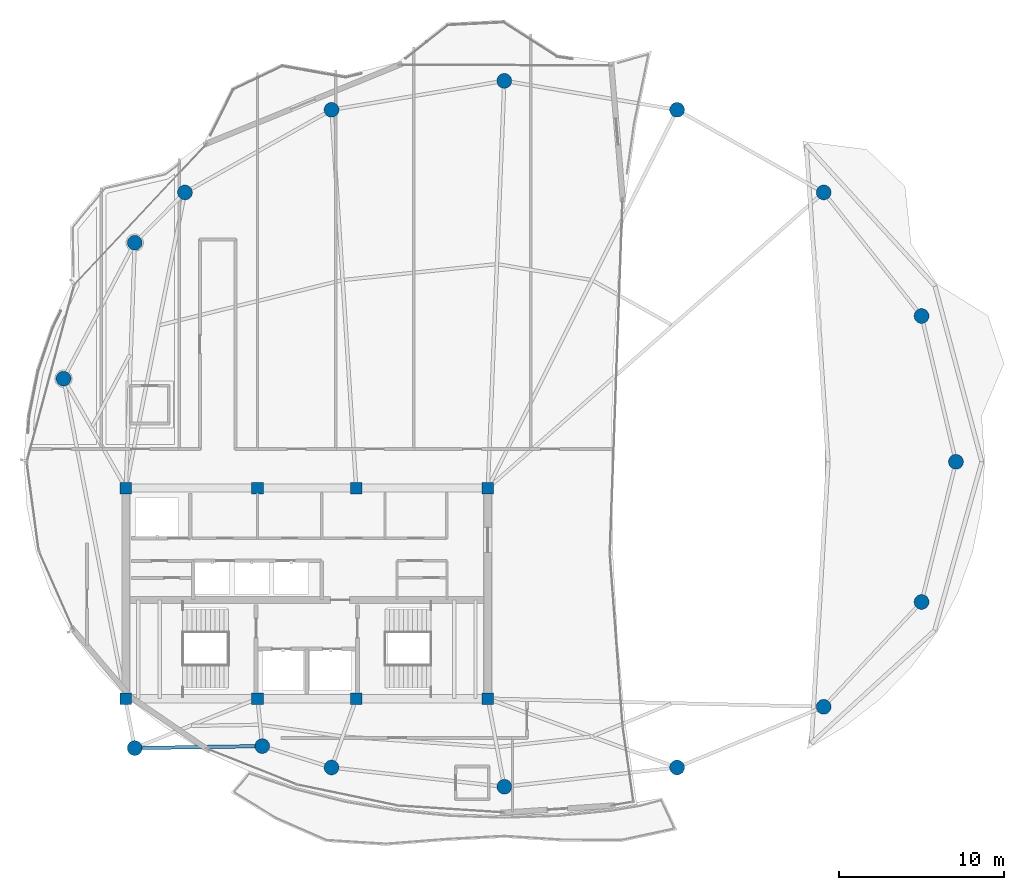
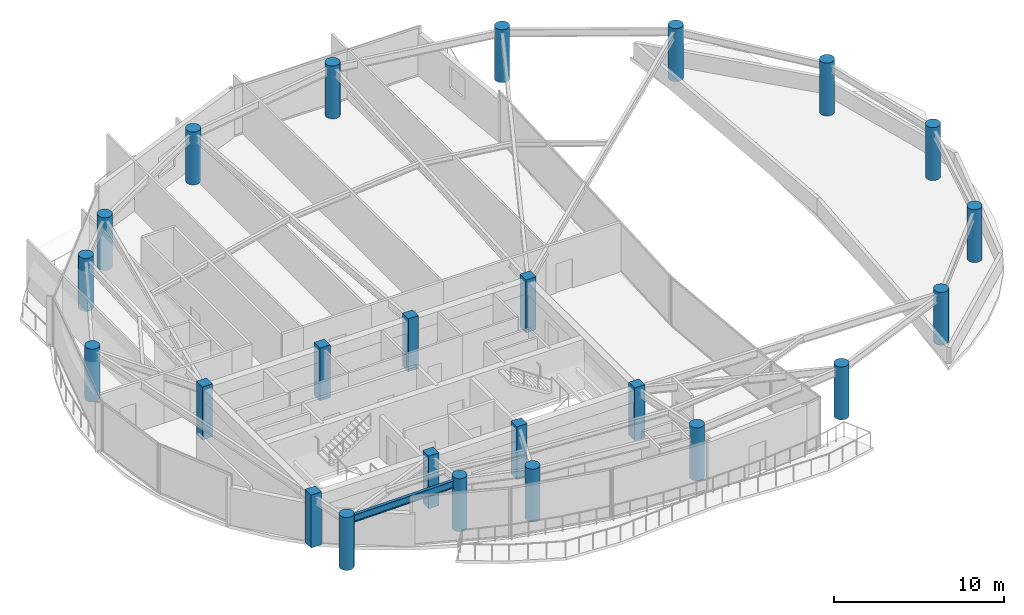
# One storey, part 1 of 23: 24 columns, 1 beam.
"""IFC4 building model written with IfcOpenShell, lengths in metres."""

from ifc_helpers import new_model, si_unit, direction, frame, origin, origin_2d, place, context, subcontext, project, spatial, rectangle, circle, i_section, extrude, material, material_profile, profile_set, type_object, element, save


model = new_model("IFC4")

# Units and contexts
model_context = context("Model", 3, precision=1e-05, world=origin(), true_north=direction((0.0, 1.0)))
body_context = subcontext(model_context, "Body", "Model", "MODEL_VIEW")
ifc_project = project(units=[si_unit("LENGTHUNIT", "METRE"), si_unit("AREAUNIT", "SQUARE_METRE"), si_unit("VOLUMEUNIT", "CUBIC_METRE"), si_unit("PLANEANGLEUNIT", "RADIAN"), si_unit("MASSUNIT", "GRAM", prefix="KILO")], contexts=[model_context])

# Site, building, storey
site_placement = place(None, origin())
site = spatial("IfcSite", under=ifc_project, at=site_placement, CompositionType="ELEMENT")
building_placement = place(site_placement, origin())
building = spatial("IfcBuilding", under=site, at=building_placement, Name="Kazevale Care Tower and Concert Hall", CompositionType="ELEMENT")
storey_placement = place(building_placement, frame((0.0, 0.0, 266.199951171875)))
storey = spatial("IfcBuildingStorey", under=building, at=storey_placement, Name="L70", CompositionType="ELEMENT", Elevation=266.199951171875)

# Columns
ifc_material_1 = material(Name="Concrete C50", Category="concrete")
ifc_material_profile_1 = material_profile(ifc_material_1, rectangle(XDim=0.699951171875, YDim=0.699951171875, at=origin_2d()), Name="RC-SQ700")
ifc_profile_set_1 = profile_set([ifc_material_profile_1], Name="Concrete C50")
column_type_1 = type_object("IfcColumnType", Name="Core Column SQ700 C50", PredefinedType="COLUMN", material=ifc_profile_set_1)
for number, where, z_axis, x_axis, name in (
    (1, (22.0, 23.60009765625, 0.0), (0.0, 0.0, 1.0), (1.0, 0.0, 0.0), "col:L70:CC-01"),
    (2, (30.0, 23.60009765625, 0.0), (0.0, 0.0, 1.0), (1.0, 0.0, 0.0), "col:L70:CC-02"),
    (3, (36.0, 23.60009765625, 0.0), (0.0, 0.0, 1.0), (1.0, 0.0, 0.0), "col:L70:CC-03"),
    (4, (44.0, 23.60009765625, 0.0), (0.0, 0.0, 1.0), (1.0, 0.0, 0.0), "col:L70:CC-04"),
    (5, (44.0, 36.39990234375, 0.0), (0.0, 0.0, 1.0), (1.0, 0.0, 0.0), "col:L70:CC-05"),
    (6, (36.0, 36.39990234375, 0.0), (0.0, 0.0, 1.0), (1.0, 0.0, 0.0), "col:L70:CC-06"),
    (7, (30.0, 36.39990234375, 0.0), (0.0, 0.0, 1.0), (1.0, 0.0, 0.0), "col:L70:CC-07"),
    (8, (22.0, 36.39990234375, 0.0), (0.0, 0.0, 1.0), (1.0, 0.0, 0.0), "col:L70:CC-08"),
):
    element("IfcColumn", number, at=place(storey_placement, frame(where, z_axis=z_axis, x_axis=x_axis)), inside=storey, type_object=column_type_1, Name=name, PredefinedType="COLUMN", context=body_context, shape_type="SweptSolid", body=[
        extrude(rectangle(XDim=0.699951171875, YDim=0.699951171875, at=origin_2d()), origin(), (0.0, 0.0, 1.0), 3.800048828125),
    ])
ifc_material_profile_2 = material_profile(ifc_material_1, circle(Radius=0.449951171875, at=origin_2d()), Name="RC-CIR900")
ifc_profile_set_2 = profile_set([ifc_material_profile_2], Name="Concrete C50")
column_type_2 = type_object("IfcColumnType", Name="Perimeter Column CIR900 C50", PredefinedType="COLUMN", material=ifc_profile_set_2)
for number, where, z_axis, x_axis, name in (
    (9, (72.449951171875, 38.0, 0.0), (0.0, 0.0, 1.0), (1.0, 0.0, 0.0), "col:L70:PC-01"),
    (10, (70.360107421875, 46.860107421875, 0.0), (0.0, 0.0, 1.0), (1.0, 0.0, 0.0), "col:L70:PC-02"),
    (11, (64.409912109375, 54.3701171875, 0.0), (0.0, 0.0, 1.0), (1.0, 0.0, 0.0), "col:L70:PC-03"),
    (12, (55.5, 59.389892578125, 0.0), (0.0, 0.0, 1.0), (1.0, 0.0, 0.0), "col:L70:PC-04"),
    (13, (45.0, 61.14990234375, 0.0), (0.0, 0.0, 1.0), (1.0, 0.0, 0.0), "col:L70:PC-05"),
    (14, (34.5, 59.389892578125, 0.0), (0.0, 0.0, 1.0), (1.0, 0.0, 0.0), "col:L70:PC-06"),
    (15, (25.590087890625, 54.3701171875, 0.0), (0.0, 0.0, 1.0), (1.0, 0.0, 0.0), "col:L70:PC-07"),
    (16, (22.5400390625, 51.31005859375, 0.0), (0.0, 0.0, 1.0), (1.0, 0.0, 0.0), "col:L70:PC-08"),
    (17, (18.2099609375, 43.050048828125, 0.0), (0.0, 0.0, 1.0), (1.0, 0.0, 0.0), "col:L70:PC-09"),
    (18, (22.5400390625, 20.60009765625, 0.0), (0.0, 0.0, 1.0), (1.0, 0.0, 0.0), "col:L70:PC-10"),
    (19, (30.2900390625, 20.719970703125, 0.0), (0.0, 0.0, 1.0), (1.0, 0.0, 0.0), "col:L70:PC-11"),
    (20, (34.5, 19.419921875, 0.0), (0.0, 0.0, 1.0), (1.0, 0.0, 0.0), "col:L70:PC-12"),
    (21, (45.0, 18.25, 0.0), (0.0, 0.0, 1.0), (1.0, 0.0, 0.0), "col:L70:PC-13"),
    (22, (55.5, 19.419921875, 0.0), (0.0, 0.0, 1.0), (1.0, 0.0, 0.0), "col:L70:PC-14"),
    (23, (64.409912109375, 23.110107421875, 0.0), (0.0, 0.0, 1.0), (1.0, 0.0, 0.0), "col:L70:PC-15"),
    (24, (70.360107421875, 29.47998046875, 0.0), (0.0, 0.0, 1.0), (1.0, 0.0, 0.0), "col:L70:PC-16"),
):
    element("IfcColumn", number, at=place(storey_placement, frame(where, z_axis=z_axis, x_axis=x_axis)), inside=storey, type_object=column_type_2, Name=name, PredefinedType="COLUMN", context=body_context, shape_type="SweptSolid", body=[
        extrude(circle(Radius=0.449951171875, at=origin_2d()), origin(), (0.0, 0.0, 1.0), 3.800048828125),
    ])

# Beam
ifc_material_2 = material(Name="Steel ASTM A572 Gr 50", Category="steel")
ifc_material_profile_3 = material_profile(ifc_material_2, i_section(OverallWidth=0.208984375, OverallDepth=0.532958984375, WebThickness=0.01025390625, FlangeThickness=0.015625, at=origin_2d()), Name="W530x92")
ifc_profile_set_3 = profile_set([ifc_material_profile_3], Name="Steel ASTM A572 Gr 50")
beam_type = type_object("IfcBeamType", Name="Upper Ring Beam W530x92", PredefinedType="BEAM", material=ifc_profile_set_3)
beam_placement = place(storey_placement, frame((22.5400390625, 20.60009765625, 3.29345703125), z_axis=(0.999880399838, 0.015465640005, 0.0), x_axis=(-0.015465640005, 0.999880399838, 0.0)))
element("IfcBeam", 25, at=beam_placement, inside=storey, type_object=beam_type, Name="beam:L70:ring:10", PredefinedType="BEAM", context=body_context, shape_type="SweptSolid", body=[
    extrude(i_section(OverallWidth=0.208984375, OverallDepth=0.532958984375, WebThickness=0.01025390625, FlangeThickness=0.015625, at=origin_2d()), origin(), (0.0, 0.0, 1.0), 7.7509765625),
])

save(model, "model.ifc")
